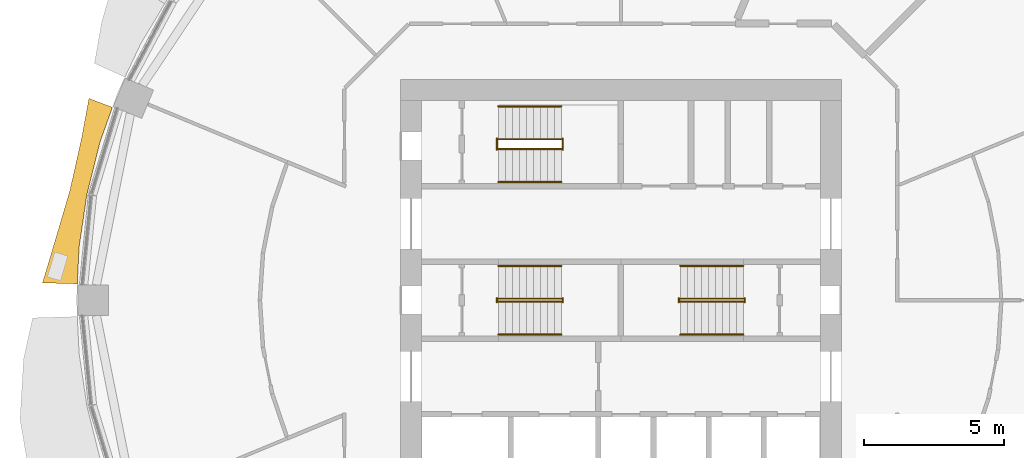
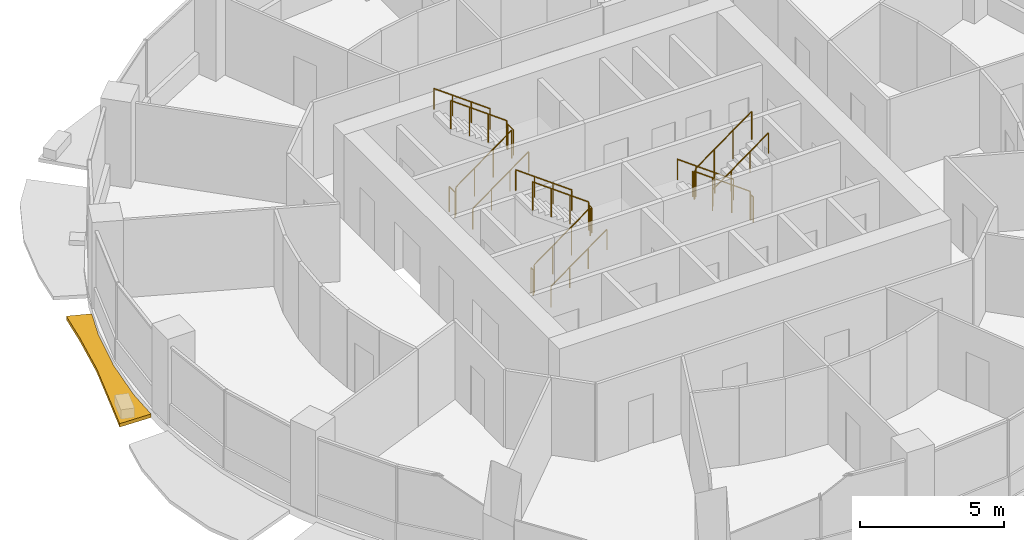
# One storey, part 13 of 15: 18 railings, 1 shading device.
"""IFC4 building model written with IfcOpenShell, lengths in metres."""

import ifcopenshell
import ifcopenshell.guid

model = None  # the IFC model being written
_history = None  # IfcOwnerHistory: only IFC2X3 demands one
_inside = {}  # id of a spatial element -> (the spatial element, [elements in it])
_under = {}  # id of a project, library or spatial element -> (it, [spatial elements below it])
_declared = {}  # id of a project -> (the project, [libraries it declares])
_typed = {}  # id of a type object -> (the type object, [elements of that type])
_made_of = {}  # id of a material, layer set ... -> (it, [elements and type objects made of it])


def new_model(schema):
    """Start an empty IFC model of exactly this schema.

    Asked for "IFC4X3", IfcOpenShell would pick the latest addendum, in which some entities
    have other attributes; the version numbers below select the first issue.
    IFC2X3 requires an IfcOwnerHistory on every rooted entity: one is made here for all.
    """
    global model, _history
    if schema == "IFC4X3":
        model = ifcopenshell.file(schema_version=(4, 3, 0, 0))
    else:
        model = ifcopenshell.file(schema=schema)
    _inside.clear()
    _under.clear()
    _declared.clear()
    _typed.clear()
    _made_of.clear()
    _history = None
    if model.schema == "IFC2X3":
        org = make("IfcOrganization", Name="unknown")
        user = make(
            "IfcPersonAndOrganization",
            ThePerson=make("IfcPerson", FamilyName="unknown"),
            TheOrganization=org,
        )
        app = make(
            "IfcApplication",
            ApplicationDeveloper=org,
            Version="unknown",
            ApplicationFullName="unknown",
            ApplicationIdentifier="unknown",
        )
        _history = make(
            "IfcOwnerHistory",
            OwningUser=user,
            OwningApplication=app,
            ChangeAction="ADDED",
            CreationDate=0,
        )
    return model


def make(cls, **values):
    """One entity of the class cls with the attributes given. An attribute that is None is left unset."""
    return model.create_entity(
        cls, **{name: value for name, value in values.items() if value is not None}
    )


def rooted(cls, **values):
    """An entity with a GlobalId (a new one), such as an element, a storey or a relation."""
    return make(cls, GlobalId=ifcopenshell.guid.new(), OwnerHistory=_history, **values)


def si_unit(unit_type, name, prefix=None):
    """IfcSIUnit, for example si_unit("LENGTHUNIT", "METRE", prefix="MILLI")."""
    return make("IfcSIUnit", UnitType=unit_type, Prefix=prefix, Name=name)


def assignment(units):
    """IfcUnitAssignment: the units of a project."""
    return None if units is None else make("IfcUnitAssignment", Units=units)


def point(xyz):
    """IfcCartesianPoint."""
    return None if xyz is None else make("IfcCartesianPoint", Coordinates=xyz)


def direction(xyz):
    """IfcDirection."""
    return None if xyz is None else make("IfcDirection", DirectionRatios=xyz)


def frame(location, z_axis=None, x_axis=None):
    """IfcAxis2Placement3D, a coordinate frame: its origin and axes. An axis left out is left unset."""
    return make(
        "IfcAxis2Placement3D",
        Location=point(location),
        Axis=direction(z_axis),
        RefDirection=direction(x_axis),
    )


def frame_2d(location, x_axis=None):
    """IfcAxis2Placement2D, a coordinate frame in the plane: its origin and x axis."""
    return make(
        "IfcAxis2Placement2D", Location=point(location), RefDirection=direction(x_axis)
    )


def origin():
    """The frame at (0, 0, 0) with its axes left unset."""
    return frame((0.0, 0.0, 0.0))


def origin_2d():
    """The frame at (0, 0) in the plane with its x axis left unset."""
    return frame_2d((0.0, 0.0))


def place(relative_to, where):
    """IfcLocalPlacement: puts the frame where relative to a parent placement (None: the world)."""
    return make(
        "IfcLocalPlacement", PlacementRelTo=relative_to, RelativePlacement=where
    )


def context(
    kind, dimensions, precision=None, world=None, true_north=None, identifier=None
):
    """IfcGeometricRepresentationContext, for example the 3D "Model" context."""
    return make(
        "IfcGeometricRepresentationContext",
        ContextIdentifier=identifier,
        ContextType=kind,
        CoordinateSpaceDimension=dimensions,
        Precision=precision,
        WorldCoordinateSystem=world,
        TrueNorth=true_north,
    )


def subcontext(parent, identifier, kind, view, scale=None):
    """IfcGeometricRepresentationSubContext, for example "Body" below "Model"."""
    return make(
        "IfcGeometricRepresentationSubContext",
        ContextIdentifier=identifier,
        ContextType=kind,
        ParentContext=parent,
        TargetScale=scale,
        TargetView=view,
    )


def project(units=None, contexts=None):
    """IfcProject with its units and contexts."""
    return rooted(
        "IfcProject",
        Name="project",
        RepresentationContexts=contexts,
        UnitsInContext=assignment(units),
    )


def spatial(cls, under=None, at=None, **own):
    """A site, building, storey or space (cls), placed at a placement, below another one or the project."""
    s = rooted(cls, ObjectPlacement=at, **own)
    if under is not None:
        _under.setdefault(under.id(), (under, []))[1].append(s)
    return s


def polyline(points):
    """IfcPolyline through the points."""
    return make("IfcPolyline", Points=[point(p) for p in points])


def profile(cls, at=None, kind="AREA", **sizes):
    """A parametric profile (cls). Its sizes go by their IFC names, for example OverallWidth=200.0."""
    return make(cls, ProfileType=kind, Position=at, **sizes)


def circle(**sizes):
    """IfcCircleProfileDef."""
    return profile("IfcCircleProfileDef", **sizes)


def outline(outer, holes=None, kind="AREA"):
    """IfcArbitraryClosedProfileDef: a profile drawn as a closed curve; with holes, ...WithVoids."""
    if holes is None:
        return make("IfcArbitraryClosedProfileDef", ProfileType=kind, OuterCurve=outer)
    return make(
        "IfcArbitraryProfileDefWithVoids",
        ProfileType=kind,
        OuterCurve=outer,
        InnerCurves=holes,
    )


def extrude(swept, where, along, depth):
    """IfcExtrudedAreaSolid: the profile swept, set in the frame where, extruded along a direction by depth."""
    return make(
        "IfcExtrudedAreaSolid",
        SweptArea=swept,
        Position=where,
        ExtrudedDirection=direction(along),
        Depth=depth,
    )


def shape(context_of_items, identifier, shape_type, items):
    """IfcShapeRepresentation: the items that make up one representation, for example the "Body"."""
    return make(
        "IfcShapeRepresentation",
        ContextOfItems=context_of_items,
        RepresentationIdentifier=identifier,
        RepresentationType=shape_type,
        Items=items,
    )


def material(Name=None, Category=None):
    """IfcMaterial."""
    return make("IfcMaterial", Name=Name, Category=Category)


def made_of(thing, what):
    """Note that an element or type object is made of a material, layer set ...; save() writes the relation."""
    if what is not None:
        _made_of.setdefault(what.id(), (what, []))[1].append(thing)
    return thing


def type_object(cls, material=None, **own):
    """A type object (cls), such as IfcWallType, which elements share."""
    return made_of(rooted(cls, **own), material)


def element(
    cls,
    number,
    at=None,
    inside=None,
    cuts=None,
    type_object=None,
    material=None,
    context=None,
    identifier="Body",
    shape_type=None,
    held_by="IfcProductDefinitionShape",
    body=None,
    shapes=None,
    **own,
):
    """One element of the class cls, such as IfcWall. Its Tag is "e" and its number.

    at: its placement. inside: the storey or other place that contains it. cuts: it is an
    opening in that element (IfcRelVoidsElement). A single representation is given by context,
    identifier, shape_type and body (its items); several are given by shapes. held_by: the class
    of the entity that holds the representations. save() writes the other relations.
    """
    e = rooted(cls, Tag="e%d" % number, ObjectPlacement=at, **own)
    if body is not None:
        shapes = [shape(context, identifier, shape_type, body)]
    if shapes is not None:
        e.Representation = make(held_by, Representations=shapes)
    if inside is not None:
        _inside.setdefault(inside.id(), (inside, []))[1].append(e)
    if cuts is not None:
        rooted(
            "IfcRelVoidsElement", RelatingBuildingElement=cuts, RelatedOpeningElement=e
        )
    if type_object is not None:
        _typed.setdefault(type_object.id(), (type_object, []))[1].append(e)
    return made_of(e, material)


def aggregate(whole, parts):
    """IfcRelAggregates: a whole, such as a stair, and the parts it consists of."""
    return rooted("IfcRelAggregates", RelatingObject=whole, RelatedObjects=parts)


def save(model, path):
    """Write the relations noted so far, then the file.

    IfcRelAggregates (storeys below a building ...), IfcRelContainedInSpatialStructure (elements
    in a storey), IfcRelDefinesByType, IfcRelAssociatesMaterial and IfcRelDeclares: one each for
    every whole, place, type object, material and project.
    """
    for whole, parts in _under.values():
        aggregate(whole, parts)
    for where, things in _inside.values():
        rooted(
            "IfcRelContainedInSpatialStructure",
            RelatedElements=things,
            RelatingStructure=where,
        )
    for kind, things in _typed.values():
        rooted("IfcRelDefinesByType", RelatedObjects=things, RelatingType=kind)
    for what, things in _made_of.values():
        rooted("IfcRelAssociatesMaterial", RelatedObjects=things, RelatingMaterial=what)
    for by, libraries in _declared.values():
        rooted("IfcRelDeclares", RelatingContext=by, RelatedDefinitions=libraries)
    model.write(path)


model = new_model("IFC4")

# Units and contexts
model_context = context("Model", 3, precision=1e-05, world=origin(), true_north=direction((0.0, 1.0)))
body_context = subcontext(model_context, "Body", "Model", "MODEL_VIEW")
ifc_project = project(units=[si_unit("LENGTHUNIT", "METRE"), si_unit("AREAUNIT", "SQUARE_METRE"), si_unit("VOLUMEUNIT", "CUBIC_METRE"), si_unit("PLANEANGLEUNIT", "RADIAN"), si_unit("MASSUNIT", "GRAM", prefix="KILO")], contexts=[model_context])

# Site, building, storey
site_placement = place(None, origin())
site = spatial("IfcSite", under=ifc_project, at=site_placement, CompositionType="ELEMENT")
building_placement = place(site_placement, origin())
building = spatial("IfcBuilding", under=site, at=building_placement, Name="Polderwave Tower", CompositionType="ELEMENT")
storey_placement = place(building_placement, frame((0.0, 0.0, 76.39990234375)))
storey = spatial("IfcBuildingStorey", under=building, at=storey_placement, Name="L19", CompositionType="ELEMENT", Elevation=76.39990234375)

# Railings
ifc_material_1 = material(Name="Stainless steel", Category="steel")
railing_type_1 = type_object("IfcRailingType", Name="Stair guard 1100", PredefinedType="GUARDRAIL", material=ifc_material_1)
railing_1_placement = place(storey_placement, frame((-4.3740234375, -0.051025390625, 0.0625)))
element("IfcRailing", 1, at=railing_1_placement, inside=storey, type_object=railing_type_1, Name="L19 ST-A stair guard 1", PredefinedType="GUARDRAIL", context=body_context, shape_type="SweptSolid", body=[
    extrude(circle(Radius=0.02392578125, at=origin_2d()), frame((0.0, 0.0, 1.1962890625), z_axis=(0.807673635365, 0.0, 0.58962979804), x_axis=(0.0, 1.0, 0.0)), (0.0, 0.0, 1.0), 2.785888671875),
    extrude(circle(Radius=0.02392578125, at=origin_2d()), origin(), (0.0, 0.0, 1.0), 1.172119140625),
    extrude(circle(Radius=0.02392578125, at=origin_2d()), frame((0.75, 0.0, 0.547607421875)), (0.0, 0.0, 1.0), 1.172119140625),
    extrude(circle(Radius=0.02392578125, at=origin_2d()), frame((1.5, 0.0, 1.094970703125)), (0.0, 0.0, 1.0), 1.172119140625),
    extrude(circle(Radius=0.02392578125, at=origin_2d()), frame((2.25, 0.0, 1.642578125)), (0.0, 0.0, 1.0), 1.172119140625),
])
railing_2_placement = place(storey_placement, frame((-2.073974609375, -0.074951171875, 1.8251953125)))
element("IfcRailing", 2, at=railing_2_placement, inside=storey, type_object=railing_type_1, Name="L19 ST-A stair guard 2", PredefinedType="GUARDRAIL", context=body_context, shape_type="SweptSolid", body=[
    extrude(circle(Radius=0.02392578125, at=origin_2d()), frame((0.0, 0.0, 1.076171875), z_axis=(0.0, 1.0, 0.0), x_axis=(-1.0, 0.0, 0.0)), (0.0, 0.0, 1.0), 0.14990234375),
    extrude(circle(Radius=0.02099609375, at=origin_2d()), origin(), (0.0, 0.0, 1.0), 1.052001953125),
    extrude(circle(Radius=0.02099609375, at=origin_2d()), frame((0.0, 0.14990234375, 0.0)), (0.0, 0.0, 1.0), 1.052001953125),
])
railing_3_placement = place(storey_placement, frame((-2.1240234375, 0.051025390625, 1.887451171875)))
element("IfcRailing", 3, at=railing_3_placement, inside=storey, type_object=railing_type_1, Name="L19 ST-A stair guard 3", PredefinedType="GUARDRAIL", context=body_context, shape_type="SweptSolid", body=[
    extrude(circle(Radius=0.02392578125, at=origin_2d()), frame((0.0, 0.0, 1.1962890625), z_axis=(-0.807673635365, 0.0, 0.58962979804), x_axis=(0.0, -1.0, 0.0)), (0.0, 0.0, 1.0), 2.785888671875),
    extrude(circle(Radius=0.02392578125, at=origin_2d()), origin(), (0.0, 0.0, 1.0), 1.172119140625),
    extrude(circle(Radius=0.02392578125, at=origin_2d()), frame((-0.75, 0.0, 0.547607421875)), (0.0, 0.0, 1.0), 1.172119140625),
    extrude(circle(Radius=0.02392578125, at=origin_2d()), frame((-1.5, 0.0, 1.094970703125)), (0.0, 0.0, 1.0), 1.172119140625),
    extrude(circle(Radius=0.02392578125, at=origin_2d()), frame((-2.25, 0.0, 1.642578125)), (0.0, 0.0, 1.0), 1.172119140625),
])
railing_4_placement = place(storey_placement, frame((-4.424072265625, -0.074951171875, 0.0)))
element("IfcRailing", 4, at=railing_4_placement, inside=storey, type_object=railing_type_1, Name="L19 ST-A stair guard 4", PredefinedType="GUARDRAIL", context=body_context, shape_type="SweptSolid", body=[
    extrude(circle(Radius=0.02392578125, at=origin_2d()), frame((0.0, 0.0, 1.076171875), z_axis=(0.0, 1.0, 0.0), x_axis=(-1.0, 0.0, 0.0)), (0.0, 0.0, 1.0), 0.14990234375),
    extrude(circle(Radius=0.02099609375, at=origin_2d()), origin(), (0.0, 0.0, 1.0), 1.052001953125),
    extrude(circle(Radius=0.02099609375, at=origin_2d()), frame((0.0, 0.14990234375, 0.0)), (0.0, 0.0, 1.0), 1.052001953125),
])
railing_5_placement = place(storey_placement, frame((4.3740234375, 0.051025390625, 0.0625)))
element("IfcRailing", 5, at=railing_5_placement, inside=storey, type_object=railing_type_1, Name="L19 ST-B stair guard 1", PredefinedType="GUARDRAIL", context=body_context, shape_type="SweptSolid", body=[
    extrude(circle(Radius=0.02392578125, at=origin_2d()), frame((0.0, 0.0, 1.1962890625), z_axis=(-0.807673635365, 0.0, 0.58962979804), x_axis=(0.0, -1.0, 0.0)), (0.0, 0.0, 1.0), 2.785888671875),
    extrude(circle(Radius=0.02392578125, at=origin_2d()), origin(), (0.0, 0.0, 1.0), 1.172119140625),
    extrude(circle(Radius=0.02392578125, at=origin_2d()), frame((-0.75, 0.0, 0.547607421875)), (0.0, 0.0, 1.0), 1.172119140625),
    extrude(circle(Radius=0.02392578125, at=origin_2d()), frame((-1.5, 0.0, 1.094970703125)), (0.0, 0.0, 1.0), 1.172119140625),
    extrude(circle(Radius=0.02392578125, at=origin_2d()), frame((-2.25, 0.0, 1.642578125)), (0.0, 0.0, 1.0), 1.172119140625),
])
railing_6_placement = place(storey_placement, frame((2.073974609375, 0.074951171875, 1.8251953125)))
element("IfcRailing", 6, at=railing_6_placement, inside=storey, type_object=railing_type_1, Name="L19 ST-B stair guard 2", PredefinedType="GUARDRAIL", context=body_context, shape_type="SweptSolid", body=[
    extrude(circle(Radius=0.02392578125, at=origin_2d()), frame((0.0, 0.0, 1.076171875), z_axis=(0.0, -1.0, 0.0), x_axis=(1.0, 0.0, 0.0)), (0.0, 0.0, 1.0), 0.14990234375),
    extrude(circle(Radius=0.02099609375, at=origin_2d()), origin(), (0.0, 0.0, 1.0), 1.052001953125),
    extrude(circle(Radius=0.02099609375, at=origin_2d()), frame((0.0, -0.14990234375, 0.0)), (0.0, 0.0, 1.0), 1.052001953125),
])
railing_7_placement = place(storey_placement, frame((2.1240234375, -0.051025390625, 1.887451171875)))
element("IfcRailing", 7, at=railing_7_placement, inside=storey, type_object=railing_type_1, Name="L19 ST-B stair guard 3", PredefinedType="GUARDRAIL", context=body_context, shape_type="SweptSolid", body=[
    extrude(circle(Radius=0.02392578125, at=origin_2d()), frame((0.0, 0.0, 1.1962890625), z_axis=(0.807673635365, 0.0, 0.58962979804), x_axis=(0.0, 1.0, 0.0)), (0.0, 0.0, 1.0), 2.785888671875),
    extrude(circle(Radius=0.02392578125, at=origin_2d()), origin(), (0.0, 0.0, 1.0), 1.172119140625),
    extrude(circle(Radius=0.02392578125, at=origin_2d()), frame((0.75, 0.0, 0.547607421875)), (0.0, 0.0, 1.0), 1.172119140625),
    extrude(circle(Radius=0.02392578125, at=origin_2d()), frame((1.5, 0.0, 1.094970703125)), (0.0, 0.0, 1.0), 1.172119140625),
    extrude(circle(Radius=0.02392578125, at=origin_2d()), frame((2.25, 0.0, 1.642578125)), (0.0, 0.0, 1.0), 1.172119140625),
])
railing_8_placement = place(storey_placement, frame((4.424072265625, 0.074951171875, 0.0)))
element("IfcRailing", 8, at=railing_8_placement, inside=storey, type_object=railing_type_1, Name="L19 ST-B stair guard 4", PredefinedType="GUARDRAIL", context=body_context, shape_type="SweptSolid", body=[
    extrude(circle(Radius=0.02392578125, at=origin_2d()), frame((0.0, 0.0, 1.076171875), z_axis=(0.0, -1.0, 0.0), x_axis=(1.0, 0.0, 0.0)), (0.0, 0.0, 1.0), 0.14990234375),
    extrude(circle(Radius=0.02099609375, at=origin_2d()), origin(), (0.0, 0.0, 1.0), 1.052001953125),
    extrude(circle(Radius=0.02099609375, at=origin_2d()), frame((0.0, -0.14990234375, 0.0)), (0.0, 0.0, 1.0), 1.052001953125),
])
railing_9_placement = place(storey_placement, frame((-4.3740234375, 5.39794921875, 0.0625)))
element("IfcRailing", 9, at=railing_9_placement, inside=storey, type_object=railing_type_1, Name="L19 ST-C stair guard 1", PredefinedType="GUARDRAIL", context=body_context, shape_type="SweptSolid", body=[
    extrude(circle(Radius=0.02392578125, at=origin_2d()), frame((0.0, 0.0, 1.1962890625), z_axis=(0.807673635365, 0.0, 0.58962979804), x_axis=(0.0, 1.0, 0.0)), (0.0, 0.0, 1.0), 2.785888671875),
    extrude(circle(Radius=0.02392578125, at=origin_2d()), origin(), (0.0, 0.0, 1.0), 1.172119140625),
    extrude(circle(Radius=0.02392578125, at=origin_2d()), frame((0.75, 0.0, 0.547607421875)), (0.0, 0.0, 1.0), 1.172119140625),
    extrude(circle(Radius=0.02392578125, at=origin_2d()), frame((1.5, 0.0, 1.094970703125)), (0.0, 0.0, 1.0), 1.172119140625),
    extrude(circle(Radius=0.02392578125, at=origin_2d()), frame((2.25, 0.0, 1.642578125)), (0.0, 0.0, 1.0), 1.172119140625),
])
railing_10_placement = place(storey_placement, frame((-2.073974609375, 5.3740234375, 1.8251953125)))
element("IfcRailing", 10, at=railing_10_placement, inside=storey, type_object=railing_type_1, Name="L19 ST-C stair guard 2", PredefinedType="GUARDRAIL", context=body_context, shape_type="SweptSolid", body=[
    extrude(circle(Radius=0.02392578125, at=origin_2d()), frame((0.0, 0.0, 1.076171875), z_axis=(0.0, 1.0, 0.0), x_axis=(-1.0, 0.0, 0.0)), (0.0, 0.0, 1.0), 0.39990234375),
    extrude(circle(Radius=0.02099609375, at=origin_2d()), origin(), (0.0, 0.0, 1.0), 1.052001953125),
    extrude(circle(Radius=0.02099609375, at=origin_2d()), frame((0.0, 0.39990234375, 0.0)), (0.0, 0.0, 1.0), 1.052001953125),
])
railing_11_placement = place(storey_placement, frame((-2.1240234375, 5.75, 1.887451171875)))
element("IfcRailing", 11, at=railing_11_placement, inside=storey, type_object=railing_type_1, Name="L19 ST-C stair guard 3", PredefinedType="GUARDRAIL", context=body_context, shape_type="SweptSolid", body=[
    extrude(circle(Radius=0.02392578125, at=origin_2d()), frame((0.0, 0.0, 1.1962890625), z_axis=(-0.807673635365, 0.0, 0.58962979804), x_axis=(0.0, -1.0, 0.0)), (0.0, 0.0, 1.0), 2.785888671875),
    extrude(circle(Radius=0.02392578125, at=origin_2d()), origin(), (0.0, 0.0, 1.0), 1.172119140625),
    extrude(circle(Radius=0.02392578125, at=origin_2d()), frame((-0.75, 0.0, 0.547607421875)), (0.0, 0.0, 1.0), 1.172119140625),
    extrude(circle(Radius=0.02392578125, at=origin_2d()), frame((-1.5, 0.0, 1.094970703125)), (0.0, 0.0, 1.0), 1.172119140625),
    extrude(circle(Radius=0.02392578125, at=origin_2d()), frame((-2.25, 0.0, 1.642578125)), (0.0, 0.0, 1.0), 1.172119140625),
])
railing_12_placement = place(storey_placement, frame((-4.424072265625, 5.3740234375, 0.0)))
element("IfcRailing", 12, at=railing_12_placement, inside=storey, type_object=railing_type_1, Name="L19 ST-C stair guard 4", PredefinedType="GUARDRAIL", context=body_context, shape_type="SweptSolid", body=[
    extrude(circle(Radius=0.02392578125, at=origin_2d()), frame((0.0, 0.0, 1.076171875), z_axis=(0.0, 1.0, 0.0), x_axis=(-1.0, 0.0, 0.0)), (0.0, 0.0, 1.0), 0.39990234375),
    extrude(circle(Radius=0.02099609375, at=origin_2d()), origin(), (0.0, 0.0, 1.0), 1.052001953125),
    extrude(circle(Radius=0.02099609375, at=origin_2d()), frame((0.0, 0.39990234375, 0.0)), (0.0, 0.0, 1.0), 1.052001953125),
])
railing_type_2 = type_object("IfcRailingType", Name="Stair handrail 900", PredefinedType="HANDRAIL", material=ifc_material_1)
railing_13_placement = place(storey_placement, frame((-4.3740234375, -1.22509765625, 0.1826171875)))
element("IfcRailing", 13, at=railing_13_placement, inside=storey, type_object=railing_type_2, Name="L19 ST-A stair handrail 1", PredefinedType="HANDRAIL", context=body_context, shape_type="SweptSolid", body=[
    extrude(circle(Radius=0.02392578125, at=origin_2d()), frame((0.0, 0.0, 0.8759765625), z_axis=(0.807673635365, 0.0, 0.58962979804), x_axis=(0.0, 1.0, 0.0)), (0.0, 0.0, 1.0), 2.785888671875),
    extrude(circle(Radius=0.02099609375, at=origin_2d()), origin(), (0.0, 0.0, 1.0), 0.851806640625),
    extrude(circle(Radius=0.02099609375, at=origin_2d()), frame((0.75, 0.0, 0.547607421875)), (0.0, 0.0, 1.0), 0.851806640625),
    extrude(circle(Radius=0.02099609375, at=origin_2d()), frame((1.5, 0.0, 1.094970703125)), (0.0, 0.0, 1.0), 0.851806640625),
    extrude(circle(Radius=0.02099609375, at=origin_2d()), frame((2.25, 0.0, 1.642578125)), (0.0, 0.0, 1.0), 0.851806640625),
])
for number, where, name in (
    (14, (-2.1240234375, 1.22509765625, 2.007568359375), "L19 ST-A stair handrail 2"),
    (15, (4.3740234375, 1.22509765625, 0.1826171875), "L19 ST-B stair handrail 1"),
):
    element("IfcRailing", number, at=place(storey_placement, frame(where)), inside=storey, type_object=railing_type_2, Name=name, PredefinedType="HANDRAIL", context=body_context, shape_type="SweptSolid", body=[
        extrude(circle(Radius=0.02392578125, at=origin_2d()), frame((0.0, 0.0, 0.8759765625), z_axis=(-0.807673635365, 0.0, 0.58962979804), x_axis=(0.0, -1.0, 0.0)), (0.0, 0.0, 1.0), 2.785888671875),
        extrude(circle(Radius=0.02099609375, at=origin_2d()), origin(), (0.0, 0.0, 1.0), 0.851806640625),
        extrude(circle(Radius=0.02099609375, at=origin_2d()), frame((-0.75, 0.0, 0.547607421875)), (0.0, 0.0, 1.0), 0.851806640625),
        extrude(circle(Radius=0.02099609375, at=origin_2d()), frame((-1.5, 0.0, 1.094970703125)), (0.0, 0.0, 1.0), 0.851806640625),
        extrude(circle(Radius=0.02099609375, at=origin_2d()), frame((-2.25, 0.0, 1.642578125)), (0.0, 0.0, 1.0), 0.851806640625),
    ])
for number, where, name in (
    (16, (2.1240234375, -1.22509765625, 2.007568359375), "L19 ST-B stair handrail 2"),
    (17, (-4.3740234375, 4.22412109375, 0.1826171875), "L19 ST-C stair handrail 1"),
):
    element("IfcRailing", number, at=place(storey_placement, frame(where)), inside=storey, type_object=railing_type_2, Name=name, PredefinedType="HANDRAIL", context=body_context, shape_type="SweptSolid", body=[
        extrude(circle(Radius=0.02392578125, at=origin_2d()), frame((0.0, 0.0, 0.8759765625), z_axis=(0.807673635365, 0.0, 0.58962979804), x_axis=(0.0, 1.0, 0.0)), (0.0, 0.0, 1.0), 2.785888671875),
        extrude(circle(Radius=0.02099609375, at=origin_2d()), origin(), (0.0, 0.0, 1.0), 0.851806640625),
        extrude(circle(Radius=0.02099609375, at=origin_2d()), frame((0.75, 0.0, 0.547607421875)), (0.0, 0.0, 1.0), 0.851806640625),
        extrude(circle(Radius=0.02099609375, at=origin_2d()), frame((1.5, 0.0, 1.094970703125)), (0.0, 0.0, 1.0), 0.851806640625),
        extrude(circle(Radius=0.02099609375, at=origin_2d()), frame((2.25, 0.0, 1.642578125)), (0.0, 0.0, 1.0), 0.851806640625),
    ])
railing_14_placement = place(storey_placement, frame((-2.1240234375, 6.924072265625, 2.007568359375)))
element("IfcRailing", 18, at=railing_14_placement, inside=storey, type_object=railing_type_2, Name="L19 ST-C stair handrail 2", PredefinedType="HANDRAIL", context=body_context, shape_type="SweptSolid", body=[
    extrude(circle(Radius=0.02392578125, at=origin_2d()), frame((0.0, 0.0, 0.8759765625), z_axis=(-0.807673635365, 0.0, 0.58962979804), x_axis=(0.0, -1.0, 0.0)), (0.0, 0.0, 1.0), 2.785888671875),
    extrude(circle(Radius=0.02099609375, at=origin_2d()), origin(), (0.0, 0.0, 1.0), 0.851806640625),
    extrude(circle(Radius=0.02099609375, at=origin_2d()), frame((-0.75, 0.0, 0.547607421875)), (0.0, 0.0, 1.0), 0.851806640625),
    extrude(circle(Radius=0.02099609375, at=origin_2d()), frame((-1.5, 0.0, 1.094970703125)), (0.0, 0.0, 1.0), 0.851806640625),
    extrude(circle(Radius=0.02099609375, at=origin_2d()), frame((-2.25, 0.0, 1.642578125)), (0.0, 0.0, 1.0), 0.851806640625),
])

# Shading device
ifc_material_2 = material(Name="Terracotta", Category="masonry")
shading_device_type = type_object("IfcShadingDeviceType", Name="Terracotta sunshade band", PredefinedType="USERDEFINED", material=ifc_material_2)
shading_device_placement = place(storey_placement, frame((0.0, 0.0, -0.349853515625)))
element("IfcShadingDevice", 19, at=shading_device_placement, inside=storey, type_object=shading_device_type, Name="Sunshade band L19 8", ObjectType="SUNSHADE", PredefinedType="USERDEFINED", context=body_context, shape_type="SweptSolid", body=[
    extrude(outline(polyline([(-18.156982421875, 6.88916015625), (-18.602783203125, 5.64306640625), (-19.06640625, 3.79248046875), (-19.346435546875, 1.905517578125), (-19.411376953125, 0.583740234375), (-20.653076171875, 0.62109375), (-20.24267578125, 1.99365234375), (-19.67578125, 3.913818359375), (-19.24609375, 5.838134765625), (-18.995361328125, 7.20703125), (-18.156982421875, 6.88916015625)])), origin(), (0.0, 0.0, 1.0), 0.14990234375),
])

save(model, "model.ifc")
